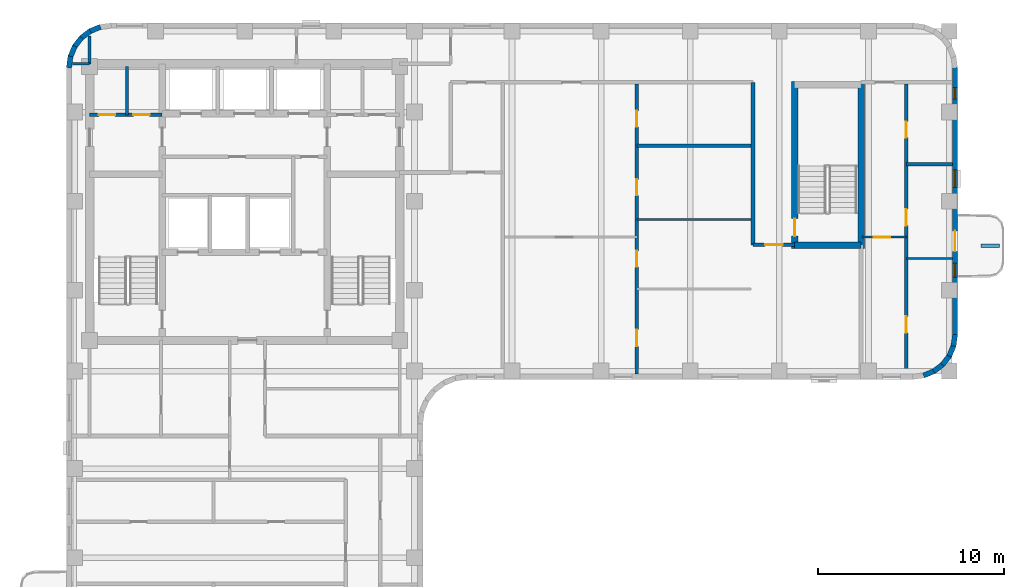
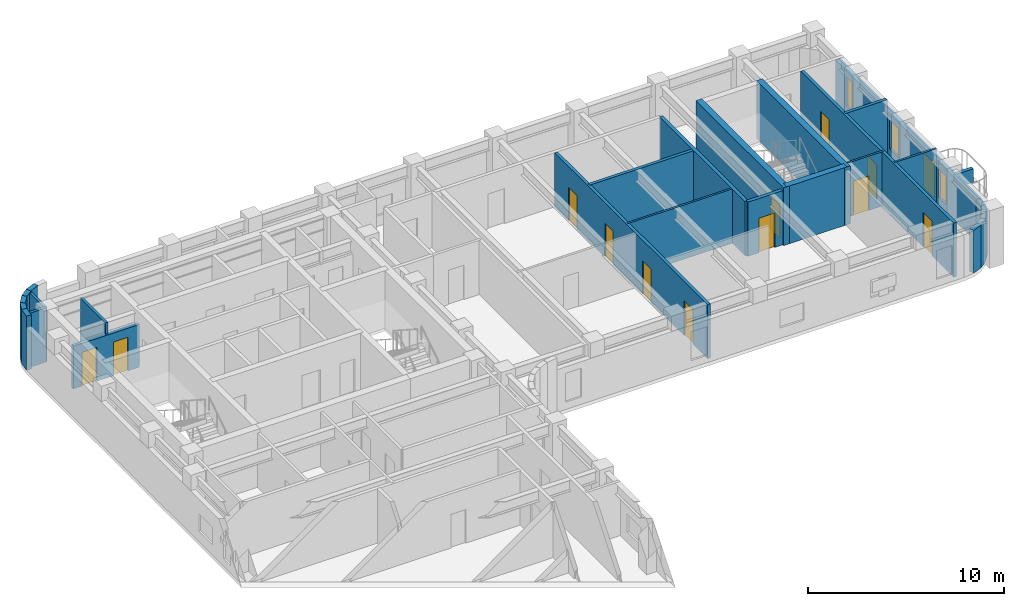
# One storey, part 5 of 10: 28 walls, 13 doors, 3 windows, 16 openings.
"""IFC4 building model written with IfcOpenShell, lengths in metres."""

from ifc_helpers import new_model, si_unit, direction, frame, frame_2d, origin, place, context, subcontext, project, spatial, rectangle, extrude, material, layer, layer_set, type_object, element, fill, save


model = new_model("IFC4")

# Units and contexts
model_context = context("Model", 3, precision=1e-05, world=origin(), true_north=direction((0.0, 1.0)))
body_context = subcontext(model_context, "Body", "Model", "MODEL_VIEW")
ifc_project = project(units=[si_unit("LENGTHUNIT", "METRE"), si_unit("AREAUNIT", "SQUARE_METRE"), si_unit("VOLUMEUNIT", "CUBIC_METRE"), si_unit("PLANEANGLEUNIT", "RADIAN"), si_unit("MASSUNIT", "GRAM", prefix="KILO")], contexts=[model_context])

# Site, building, storey
site_placement = place(None, origin())
site = spatial("IfcSite", under=ifc_project, at=site_placement, CompositionType="ELEMENT")
building_placement = place(site_placement, origin())
building = spatial("IfcBuilding", under=site, at=building_placement, Name="Orvandelia Arch Residences", CompositionType="ELEMENT")
storey_placement = place(building_placement, frame((0.0, 0.0, 232.60009765625)))
storey = spatial("IfcBuildingStorey", under=building, at=storey_placement, Name="L61", CompositionType="ELEMENT", Elevation=232.60009765625)

# Wall, opening, door
ifc_material_1 = material(Name="Concrete C50/60", Category="concrete")
ifc_layer_1 = layer(ifc_material_1, 0.35009765625, Name="Concrete C50/60", Category="concrete")
ifc_layer_set_1 = layer_set([ifc_layer_1], Name="Concrete C50/60")
wall_type_1 = type_object("IfcWallType", Name="WL-CORE-350", PredefinedType="SHEAR", material=ifc_layer_set_1)
wall_1_placement = place(storey_placement, frame((44.02001953125, 35.864990234375, 0.0), z_axis=(0.0, 0.0, 1.0), x_axis=(0.0, 1.0, 0.0)))
wall_1 = element("IfcWall", 1, at=wall_1_placement, inside=storey, type_object=wall_type_1, Name="East Stair Core Shear Wall L61-W", PredefinedType="SHEAR", context=body_context, shape_type="SweptSolid", body=[
    extrude(rectangle(XDim=8.969970703125, YDim=0.35009765625, at=frame_2d((4.48486328125, 0.0))), origin(), (0.0, 0.0, 1.0), 3.599853515625),
])
opening_1_placement = place(wall_1_placement, frame((0.64990234375, 0.0, 0.0)))
opening_1 = element("IfcOpeningElement", 2, at=opening_1_placement, cuts=wall_1, Name="Opening D7", PredefinedType="OPENING", context=body_context, shape_type="SweptSolid", body=[
    extrude(rectangle(XDim=0.949951171875, YDim=2.10009765625, at=frame_2d((0.47509765625, 1.050048828125))), frame((0.0, 0.18505859375, 0.0), z_axis=(0.0, -1.0, 0.0), x_axis=(1.0, 0.0, 0.0)), (0.0, 0.0, 1.0), 0.3701171875),
])
ifc_material_2 = material(Name="Pressurised Stairwell Fire Door")
door_type_1 = type_object("IfcDoorType", Name="DR-STAIR-950", OperationType="NOTDEFINED", PredefinedType="DOOR", material=ifc_material_2)
door_1_placement = place(opening_1_placement, origin())
door_1 = element("IfcDoor", 3, at=door_1_placement, inside=storey, type_object=door_type_1, Name="East Stairwell ST-3 Fire Door L61", OperationType="SINGLE_SWING_LEFT", OverallHeight=2.10009765625, OverallWidth=0.949951171875, PredefinedType="DOOR", context=body_context, shape_type="SweptSolid", body=[
    extrude(rectangle(XDim=0.949951171875, YDim=2.10009765625, at=frame_2d((0.47509765625, 1.050048828125))), frame((0.0, 0.02490234375, 0.0), z_axis=(0.0, -1.0, 0.0), x_axis=(1.0, 0.0, 0.0)), (0.0, 0.0, 1.0), 0.050048828125),
])
fill(opening_1, door_1)

# Walls
wall_2_placement = place(storey_placement, frame((47.60009765625, 35.864990234375, 0.0), z_axis=(0.0, 0.0, 1.0), x_axis=(0.0, 1.0, 0.0)))
element("IfcWall", 4, at=wall_2_placement, inside=storey, type_object=wall_type_1, Name="East Stair Core Shear Wall L61-E", PredefinedType="SHEAR", context=body_context, shape_type="SweptSolid", body=[
    extrude(rectangle(XDim=8.969970703125, YDim=0.35009765625, at=frame_2d((4.48486328125, 0.0))), origin(), (0.0, 0.0, 1.0), 3.599853515625),
])
wall_3_placement = place(storey_placement, frame((44.02001953125, 36.0400390625, 0.0), z_axis=(0.0, 0.0, 1.0), x_axis=(1.0, 0.0, 0.0)))
element("IfcWall", 5, at=wall_3_placement, inside=storey, type_object=wall_type_1, Name="East Stair Core Shear Wall L61-S", PredefinedType="SHEAR", context=body_context, shape_type="SweptSolid", body=[
    extrude(rectangle(XDim=3.580078125, YDim=0.35009765625, at=frame_2d((1.7900390625, 0.0))), origin(), (0.0, 0.0, 1.0), 3.599853515625),
])
ifc_material_3 = material(Name="Fire-Rated Corridor Partition")
ifc_layer_2 = layer(ifc_material_3, 0.199951171875, Name="Fire-Rated Corridor Partition")
ifc_layer_set_2 = layer_set([ifc_layer_2], Name="Fire-Rated Corridor Partition")
wall_type_2 = type_object("IfcWallType", Name="WL-CORR-200", PredefinedType="PARTITIONING", material=ifc_layer_set_2)
wall_4_placement = place(storey_placement, frame((41.780029296875, 36.050048828125, 0.0), z_axis=(0.0, 0.0, 1.0), x_axis=(0.0, 1.0, 0.0)))
element("IfcWall", 6, at=wall_4_placement, inside=storey, type_object=wall_type_2, Name="Interior Partition Wall WL-L61-EN2-SW", PredefinedType="PARTITIONING", context=body_context, shape_type="SweptSolid", body=[
    extrude(rectangle(XDim=8.75, YDim=0.199951171875, at=frame_2d((4.375, 0.0))), origin(), (0.0, 0.0, 1.0), 3.3798828125),
])

# Wall, opening, door
wall_5_placement = place(storey_placement, frame((41.780029296875, 36.050048828125, 0.0), z_axis=(0.0, 0.0, 1.0), x_axis=(1.0, 0.0, 0.0)))
wall_5 = element("IfcWall", 7, at=wall_5_placement, inside=storey, type_object=wall_type_2, Name="Interior Partition Wall WL-L61-EN2-SS", PredefinedType="PARTITIONING", context=body_context, shape_type="SweptSolid", body=[
    extrude(rectangle(XDim=2.239990234375, YDim=0.199951171875, at=frame_2d((1.1201171875, 0.0))), origin(), (0.0, 0.0, 1.0), 3.3798828125),
])
opening_2_placement = place(wall_5_placement, frame((0.64990234375, 0.0, 0.0)))
opening_2 = element("IfcOpeningElement", 8, at=opening_2_placement, cuts=wall_5, Name="Opening D2", PredefinedType="OPENING", context=body_context, shape_type="SweptSolid", body=[
    extrude(rectangle(XDim=0.949951171875, YDim=2.14990234375, at=frame_2d((0.47509765625, 1.074951171875))), frame((0.0, 0.10986328125, 0.0), z_axis=(0.0, -1.0, 0.0), x_axis=(1.0, 0.0, 0.0)), (0.0, 0.0, 1.0), 0.219970703125),
])
ifc_material_4 = material(Name="Solid-Core Timber Interior Fire Door", Category="wood")
door_type_2 = type_object("IfcDoorType", Name="DR-APT-950", OperationType="NOTDEFINED", PredefinedType="DOOR", material=ifc_material_4)
door_2_placement = place(opening_2_placement, origin())
door_2 = element("IfcDoor", 9, at=door_2_placement, inside=storey, type_object=door_type_2, Name="DR-L61-EN2SLN", OperationType="SINGLE_SWING_LEFT", OverallHeight=2.14990234375, OverallWidth=0.949951171875, PredefinedType="DOOR", context=body_context, shape_type="SweptSolid", body=[
    extrude(rectangle(XDim=0.949951171875, YDim=2.14990234375, at=frame_2d((0.47509765625, 1.074951171875))), frame((0.0, 0.02490234375, 0.0), z_axis=(0.0, -1.0, 0.0), x_axis=(1.0, 0.0, 0.0)), (0.0, 0.0, 1.0), 0.050048828125),
])
fill(opening_2, door_2)

# Walls
ifc_material_5 = material(Name="Precast concrete C40/50", Category="concrete")
ifc_layer_3 = layer(ifc_material_5, 0.280029296875, Name="Precast concrete C40/50", Category="concrete")
ifc_layer_set_3 = layer_set([ifc_layer_3], Name="Precast concrete C40/50")
wall_type_3 = type_object("IfcWallType", Name="WL-EXT-STONE-280", PredefinedType="STANDARD", material=ifc_layer_set_3)
for number, where, z_axis, x_axis, name in (
    (10, (4.938720703125, 45.581787109375, 0.0), (0.0, 0.0, 1.0), (0.130555323746, 0.9914410257, 0.0), "Coral-Limestone Precast Facade Wall L61-001"),
    (11, (5.010986328125, 46.16748046875, 0.0), (0.0, 0.0, 1.0), (0.382650053678, 0.92389335771, 0.0), "Coral-Limestone Precast Facade Wall L61-002"),
    (12, (5.232666015625, 46.71484375, 0.0), (0.0, 0.0, 1.0), (0.608693302629, 0.793405610854, 0.0), "Coral-Limestone Precast Facade Wall L61-003"),
    (13, (5.588134765625, 47.18603515625, 0.0), (0.0, 0.0, 1.0), (0.793405610854, 0.608693302629, 0.0), "Coral-Limestone Precast Facade Wall L61-004"),
):
    element("IfcWall", number, at=place(storey_placement, frame(where, z_axis=z_axis, x_axis=x_axis)), inside=storey, type_object=wall_type_3, Name=name, PredefinedType="STANDARD", context=body_context, shape_type="SweptSolid", body=[
        extrude(rectangle(XDim=0.62646484375, YDim=0.280029296875, at=frame_2d((0.313232421875, 0.0))), origin(), (0.0, 0.0, 1.0), 3.3798828125),
    ])
wall_6_placement = place(storey_placement, frame((6.0537109375, 47.54931640625, 0.0), z_axis=(0.0, 0.0, 1.0), x_axis=(0.923974080304, 0.382455093999, 0.0)))
element("IfcWall", 14, at=wall_6_placement, inside=storey, type_object=wall_type_3, Name="Coral-Limestone Precast Facade Wall L61-005", PredefinedType="STANDARD", context=body_context, shape_type="SweptSolid", body=[
    extrude(rectangle(XDim=0.626220703125, YDim=0.280029296875, at=frame_2d((0.31298828125, 0.0))), origin(), (0.0, 0.0, 1.0), 3.3798828125),
])

# Wall, openings, door, windows
wall_7_placement = place(storey_placement, frame((52.659912109375, 45.60009765625, 0.0), z_axis=(0.0, 0.0, 1.0), x_axis=(0.0, -1.0, 0.0)))
wall_7 = element("IfcWall", 15, at=wall_7_placement, inside=storey, type_object=wall_type_3, Name="Coral-Limestone Precast Facade Wall L61-014", PredefinedType="STANDARD", context=body_context, shape_type="SweptSolid", body=[
    extrude(rectangle(XDim=14.400146484375, YDim=0.280029296875, at=frame_2d((7.2001953125, 0.0))), origin(), (0.0, 0.0, 1.0), 2.659912109375),
])
opening_3_placement = place(wall_7_placement, frame((8.800048828125, 0.0, 0.0)))
opening_3 = element("IfcOpeningElement", 16, at=opening_3_placement, cuts=wall_7, Name="Opening BD1", PredefinedType="OPENING", context=body_context, shape_type="SweptSolid", body=[
    extrude(rectangle(XDim=1.10009765625, YDim=2.14990234375, at=frame_2d((0.550048828125, 1.074951171875))), frame((0.0, 0.14990234375, 0.0), z_axis=(0.0, -1.0, 0.0), x_axis=(1.0, 0.0, 0.0)), (0.0, 0.0, 1.0), 0.300048828125),
])
opening_4_placement = place(wall_7_placement, frame((10.54443359375, 0.0, 0.449951171875)))
opening_4 = element("IfcOpeningElement", 17, at=opening_4_placement, cuts=wall_7, Name="Opening W11", PredefinedType="OPENING", context=body_context, shape_type="SweptSolid", body=[
    extrude(rectangle(XDim=0.75, YDim=1.800048828125, at=frame_2d((0.375, 0.89990234375))), frame((0.0, 0.14990234375, 0.0), z_axis=(0.0, -1.0, 0.0), x_axis=(1.0, 0.0, 0.0)), (0.0, 0.0, 1.0), 0.300048828125),
])
opening_5_placement = place(wall_7_placement, frame((1.08740234375, 0.0, 0.449951171875)))
opening_5 = element("IfcOpeningElement", 18, at=opening_5_placement, cuts=wall_7, Name="Opening W12", PredefinedType="OPENING", context=body_context, shape_type="SweptSolid", body=[
    extrude(rectangle(XDim=0.60009765625, YDim=1.800048828125, at=frame_2d((0.300048828125, 0.89990234375))), frame((0.0, 0.14990234375, 0.0), z_axis=(0.0, -1.0, 0.0), x_axis=(1.0, 0.0, 0.0)), (0.0, 0.0, 1.0), 0.300048828125),
])
opening_6_placement = place(wall_7_placement, frame((5.510986328125, 0.0, 0.449951171875)))
opening_6 = element("IfcOpeningElement", 19, at=opening_6_placement, cuts=wall_7, Name="Opening W4", PredefinedType="OPENING", context=body_context, shape_type="SweptSolid", body=[
    extrude(rectangle(XDim=0.949951171875, YDim=1.800048828125, at=frame_2d((0.47509765625, 0.89990234375))), frame((0.0, 0.14990234375, 0.0), z_axis=(0.0, -1.0, 0.0), x_axis=(1.0, 0.0, 0.0)), (0.0, 0.0, 1.0), 0.300048828125),
])
ifc_material_6 = material(Name="Thermally Broken Aluminium Glazed Door", Category="aluminium")
door_type_3 = type_object("IfcDoorType", Name="DR-BAL-GLAZ-1100", OperationType="NOTDEFINED", PredefinedType="DOOR", material=ifc_material_6)
door_3_placement = place(opening_3_placement, origin())
door_3 = element("IfcDoor", 20, at=door_3_placement, inside=storey, type_object=door_type_3, Name="Tree Balcony Glazed Door BAL-L61-E1", OperationType="SINGLE_SWING_LEFT", OverallHeight=2.14990234375, OverallWidth=1.10009765625, PredefinedType="DOOR", context=body_context, shape_type="SweptSolid", body=[
    extrude(rectangle(XDim=1.10009765625, YDim=2.14990234375, at=frame_2d((0.550048828125, 1.074951171875))), frame((0.0, 0.02490234375, 0.0), z_axis=(0.0, -1.0, 0.0), x_axis=(1.0, 0.0, 0.0)), (0.0, 0.0, 1.0), 0.050048828125),
])
fill(opening_3, door_3)
ifc_material_7 = material(Name="Tempered Low-E Insulated Glazing", Category="glass")
window_type_1 = type_object("IfcWindowType", Name="WIN-BED-0750x1800", PartitioningType="SINGLE_PANEL", PredefinedType="WINDOW", material=ifc_material_7)
window_1_placement = place(opening_4_placement, origin())
window_1 = element("IfcWindow", 21, at=window_1_placement, inside=storey, type_object=window_type_1, Name="Recessed Punched Window L61-004", OverallHeight=1.800048828125, OverallWidth=0.75, PartitioningType="SINGLE_PANEL", PredefinedType="WINDOW", context=body_context, shape_type="SweptSolid", body=[
    extrude(rectangle(XDim=0.75, YDim=1.800048828125, at=frame_2d((0.375, 0.89990234375))), frame((0.0, 0.030029296875, 0.0), z_axis=(0.0, -1.0, 0.0), x_axis=(1.0, 0.0, 0.0)), (0.0, 0.0, 1.0), 0.06005859375),
])
fill(opening_4, window_1)
window_type_2 = type_object("IfcWindowType", Name="WIN-LAN-0600x1800", PartitioningType="SINGLE_PANEL", PredefinedType="WINDOW", material=ifc_material_7)
window_2_placement = place(opening_5_placement, origin())
window_2 = element("IfcWindow", 22, at=window_2_placement, inside=storey, type_object=window_type_2, Name="Recessed Punched Window L61-005", OverallHeight=1.800048828125, OverallWidth=0.60009765625, PartitioningType="SINGLE_PANEL", PredefinedType="WINDOW", context=body_context, shape_type="SweptSolid", body=[
    extrude(rectangle(XDim=0.60009765625, YDim=1.800048828125, at=frame_2d((0.300048828125, 0.89990234375))), frame((0.0, 0.030029296875, 0.0), z_axis=(0.0, -1.0, 0.0), x_axis=(1.0, 0.0, 0.0)), (0.0, 0.0, 1.0), 0.06005859375),
])
fill(opening_5, window_2)
window_type_3 = type_object("IfcWindowType", Name="WIN-RES-0950x1800", PartitioningType="SINGLE_PANEL", PredefinedType="WINDOW", material=ifc_material_7)
window_3_placement = place(opening_6_placement, origin())
window_3 = element("IfcWindow", 23, at=window_3_placement, inside=storey, type_object=window_type_3, Name="Recessed Punched Window L61-006", OverallHeight=1.800048828125, OverallWidth=0.949951171875, PartitioningType="SINGLE_PANEL", PredefinedType="WINDOW", context=body_context, shape_type="SweptSolid", body=[
    extrude(rectangle(XDim=0.949951171875, YDim=1.800048828125, at=frame_2d((0.47509765625, 0.89990234375))), frame((0.0, 0.030029296875, 0.0), z_axis=(0.0, -1.0, 0.0), x_axis=(1.0, 0.0, 0.0)), (0.0, 0.0, 1.0), 0.06005859375),
])
fill(opening_6, window_3)

# Walls
wall_8_placement = place(storey_placement, frame((52.6611328125, 31.21826171875, 0.0), z_axis=(0.0, 0.0, 1.0), x_axis=(-0.130555323746, -0.9914410257, 0.0)))
element("IfcWall", 24, at=wall_8_placement, inside=storey, type_object=wall_type_3, Name="Coral-Limestone Precast Facade Wall L61-015", PredefinedType="STANDARD", context=body_context, shape_type="SweptSolid", body=[
    extrude(rectangle(XDim=0.62646484375, YDim=0.280029296875, at=frame_2d((0.313232421875, 0.0))), origin(), (0.0, 0.0, 1.0), 2.659912109375),
])
wall_9_placement = place(storey_placement, frame((52.5888671875, 30.63232421875, 0.0), z_axis=(0.0, 0.0, 1.0), x_axis=(-0.382787856107, -0.923836271867, 0.0)))
element("IfcWall", 25, at=wall_9_placement, inside=storey, type_object=wall_type_3, Name="Coral-Limestone Precast Facade Wall L61-016", PredefinedType="STANDARD", context=body_context, shape_type="SweptSolid", body=[
    extrude(rectangle(XDim=0.626220703125, YDim=0.280029296875, at=frame_2d((0.31298828125, 0.0))), origin(), (0.0, 0.0, 1.0), 2.659912109375),
])
for number, where, z_axis, x_axis, name in (
    (26, (52.367431640625, 30.085205078125, 0.0), (0.0, 0.0, 1.0), (-0.608693302629, -0.793405610854, 0.0), "Coral-Limestone Precast Facade Wall L61-017"),
    (27, (52.011962890625, 29.614013671875, 0.0), (0.0, 0.0, 1.0), (-0.793405610854, -0.608693302629, 0.0), "Coral-Limestone Precast Facade Wall L61-018"),
    (28, (51.54638671875, 29.250732421875, 0.0), (0.0, 0.0, 1.0), (-0.92389335771, -0.382650053678, 0.0), "Coral-Limestone Precast Facade Wall L61-019"),
):
    element("IfcWall", number, at=place(storey_placement, frame(where, z_axis=z_axis, x_axis=x_axis)), inside=storey, type_object=wall_type_3, Name=name, PredefinedType="STANDARD", context=body_context, shape_type="SweptSolid", body=[
        extrude(rectangle(XDim=0.62646484375, YDim=0.280029296875, at=frame_2d((0.313232421875, 0.0))), origin(), (0.0, 0.0, 1.0), 2.659912109375),
    ])
ifc_material_8 = material(Name="Lightweight Gypsum Stud Partition")
ifc_layer_4 = layer(ifc_material_8, 0.1201171875, Name="Lightweight Gypsum Stud Partition")
ifc_layer_set_4 = layer_set([ifc_layer_4], Name="Lightweight Gypsum Stud Partition")
wall_type_4 = type_object("IfcWallType", Name="WL-PART-120", PredefinedType="PARTITIONING", material=ifc_layer_set_4)
wall_10_placement = place(storey_placement, frame((35.528076171875, 37.4208984375, 0.0), z_axis=(0.0, 0.0, 1.0), x_axis=(1.0, 0.0, 0.0)))
element("IfcWall", 29, at=wall_10_placement, inside=storey, type_object=wall_type_4, Name="Interior Partition Wall WL-L61-U04-H1B", PredefinedType="PARTITIONING", context=body_context, shape_type="SweptSolid", body=[
    extrude(rectangle(XDim=6.15185546875, YDim=0.1201171875, at=frame_2d((3.075927734375, 0.0))), origin(), (0.0, 0.0, 1.0), 3.3798828125),
])

# Wall, opening, door
wall_11_placement = place(storey_placement, frame((47.639892578125, 36.468017578125, 0.0), z_axis=(0.0, 0.0, 1.0), x_axis=(1.0, 0.0, 0.0)))
wall_11 = element("IfcWall", 30, at=wall_11_placement, inside=storey, type_object=wall_type_4, Name="Interior Partition Wall WL-L61-U05-DIN", PredefinedType="PARTITIONING", context=body_context, shape_type="SweptSolid", body=[
    extrude(rectangle(XDim=2.403076171875, YDim=0.1201171875, at=frame_2d((1.20166015625, 0.0))), origin(), (0.0, 0.0, 1.0), 3.3798828125),
])
opening_7_placement = place(wall_11_placement, frame((0.640380859375, 0.0, 0.0)))
opening_7 = element("IfcOpeningElement", 31, at=opening_7_placement, cuts=wall_11, Name="Opening D3", PredefinedType="OPENING", context=body_context, shape_type="SweptSolid", body=[
    extrude(rectangle(XDim=0.89990234375, YDim=2.14990234375, at=frame_2d((0.449951171875, 1.074951171875))), frame((0.0, 0.070068359375, 0.0), z_axis=(0.0, -1.0, 0.0), x_axis=(1.0, 0.0, 0.0)), (0.0, 0.0, 1.0), 0.14013671875),
])
ifc_material_9 = material(Name="Engineered Timber Flush Door", Category="wood")
door_type_4 = type_object("IfcDoorType", Name="DR-INT-900", OperationType="NOTDEFINED", PredefinedType="DOOR", material=ifc_material_9)
door_4_placement = place(opening_7_placement, origin())
door_4 = element("IfcDoor", 32, at=door_4_placement, inside=storey, type_object=door_type_4, Name="DR-L61-U05-DIN", OperationType="SINGLE_SWING_RIGHT", OverallHeight=2.14990234375, OverallWidth=0.89990234375, PredefinedType="DOOR", context=body_context, shape_type="SweptSolid", body=[
    extrude(rectangle(XDim=0.89990234375, YDim=2.14990234375, at=frame_2d((0.449951171875, 1.074951171875))), frame((0.0, 0.02490234375, 0.0), z_axis=(0.0, -1.0, 0.0), x_axis=(1.0, 0.0, 0.0)), (0.0, 0.0, 1.0), 0.050048828125),
])
fill(opening_7, door_4)

# Walls
wall_12_placement = place(storey_placement, frame((50.04296875, 35.31591796875, 0.0), z_axis=(0.0, 0.0, 1.0), x_axis=(1.0, 0.0, 0.0)))
element("IfcWall", 33, at=wall_12_placement, inside=storey, type_object=wall_type_4, Name="Interior Partition Wall WL-L61-U05-H1", PredefinedType="PARTITIONING", context=body_context, shape_type="SweptSolid", body=[
    extrude(rectangle(XDim=2.47705078125, YDim=0.1201171875, at=frame_2d((1.238525390625, 0.0))), origin(), (0.0, 0.0, 1.0), 3.3798828125),
])
ifc_material_10 = material(Name="Acoustic Gypsum Stud Partition")
ifc_layer_5 = layer(ifc_material_10, 0.14990234375, Name="Acoustic Gypsum Stud Partition")
ifc_layer_set_5 = layer_set([ifc_layer_5], Name="Acoustic Gypsum Stud Partition")
wall_type_5 = type_object("IfcWallType", Name="WL-PART-150", PredefinedType="PARTITIONING", material=ifc_layer_set_5)
wall_13_placement = place(storey_placement, frame((8.06005859375, 43.050048828125, 0.0), z_axis=(0.0, 0.0, 1.0), x_axis=(0.0, 1.0, 0.0)))
element("IfcWall", 34, at=wall_13_placement, inside=storey, type_object=wall_type_5, Name="Interior Partition Wall WL-L61-CRELC-M", PredefinedType="PARTITIONING", context=body_context, shape_type="SweptSolid", body=[
    extrude(rectangle(XDim=2.599853515625, YDim=0.14990234375, at=frame_2d((1.2998046875, 0.0))), origin(), (0.0, 0.0, 1.0), 3.3798828125),
])
wall_14_placement = place(storey_placement, frame((5.1201171875, 45.800048828125, 0.0), z_axis=(0.0, 0.0, 1.0), x_axis=(1.0, 0.0, 0.0)))
element("IfcWall", 35, at=wall_14_placement, inside=storey, type_object=wall_type_5, Name="Interior Partition Wall WL-L61-WF-N", PredefinedType="PARTITIONING", context=body_context, shape_type="SweptSolid", body=[
    extrude(rectangle(XDim=0.929931640625, YDim=0.14990234375, at=frame_2d((0.46484375, 0.0))), origin(), (0.0, 0.0, 1.0), 3.3798828125),
])
wall_15_placement = place(storey_placement, frame((6.050048828125, 45.800048828125, 0.0), z_axis=(0.0, 0.0, 1.0), x_axis=(0.0, 1.0, 0.0)))
element("IfcWall", 36, at=wall_15_placement, inside=storey, type_object=wall_type_5, Name="Interior Partition Wall WL-L61-NC-W6", PredefinedType="PARTITIONING", context=body_context, shape_type="SweptSolid", body=[
    extrude(rectangle(XDim=1.5, YDim=0.14990234375, at=frame_2d((0.75, 0.0))), origin(), (0.0, 0.0, 1.0), 3.3798828125),
])
ifc_layer_6 = layer(ifc_material_5, 0.199951171875, Name="Precast concrete C40/50", Category="concrete")
ifc_layer_set_6 = layer_set([ifc_layer_6], Name="Precast concrete C40/50")
wall_type_6 = type_object("IfcWallType", Name="WL-PLANTER-200", PredefinedType="MOVABLE", material=ifc_layer_set_6)
wall_16_placement = place(storey_placement, frame((54.050048828125, 36.0, 0.0), z_axis=(0.0, 0.0, 1.0), x_axis=(1.0, 0.0, 0.0)))
element("IfcWall", 37, at=wall_16_placement, inside=storey, type_object=wall_type_6, Name="Balcony Precast Tree Planter BAL-L61-E1", PredefinedType="MOVABLE", context=body_context, shape_type="SweptSolid", body=[
    extrude(rectangle(XDim=1.0, YDim=0.199951171875, at=frame_2d((0.5, 0.0))), origin(), (0.0, 0.0, 1.0), 0.849853515625),
])

# Wall, openings, doors
ifc_material_11 = material(Name="Fire-Rated Shaft Enclosure Wall")
ifc_layer_7 = layer(ifc_material_11, 0.199951171875, Name="Fire-Rated Shaft Enclosure Wall")
ifc_layer_set_7 = layer_set([ifc_layer_7], Name="Fire-Rated Shaft Enclosure Wall")
wall_type_7 = type_object("IfcWallType", Name="WL-SHAFT-200", PredefinedType="POLYGONAL", material=ifc_layer_set_7)
wall_17_placement = place(storey_placement, frame((6.050048828125, 43.050048828125, 0.0), z_axis=(0.0, 0.0, 1.0), x_axis=(1.0, 0.0, 0.0)))
wall_17 = element("IfcWall", 38, at=wall_17_placement, inside=storey, type_object=wall_type_7, Name="Interior Partition Wall WL-L61-HLW-N", PredefinedType="POLYGONAL", context=body_context, shape_type="SweptSolid", body=[
    extrude(rectangle(XDim=3.909912109375, YDim=0.199951171875, at=frame_2d((1.955078125, 0.0))), origin(), (0.0, 0.0, 1.0), 2.659912109375),
])
opening_8_placement = place(wall_17_placement, frame((0.5, 0.0, 0.0)))
opening_8 = element("IfcOpeningElement", 39, at=opening_8_placement, cuts=wall_17, Name="Opening D5", PredefinedType="OPENING", context=body_context, shape_type="SweptSolid", body=[
    extrude(rectangle(XDim=0.8798828125, YDim=2.10009765625, at=frame_2d((0.43994140625, 1.050048828125))), frame((0.0, 0.10986328125, 0.0), z_axis=(0.0, -1.0, 0.0), x_axis=(1.0, 0.0, 0.0)), (0.0, 0.0, 1.0), 0.219970703125),
])
opening_9_placement = place(wall_17_placement, frame((2.35009765625, 0.0, 0.0)))
opening_9 = element("IfcOpeningElement", 40, at=opening_9_placement, cuts=wall_17, Name="Opening D5", PredefinedType="OPENING", context=body_context, shape_type="SweptSolid", body=[
    extrude(rectangle(XDim=0.8798828125, YDim=2.10009765625, at=frame_2d((0.43994140625, 1.050048828125))), frame((0.0, 0.10986328125, 0.0), z_axis=(0.0, -1.0, 0.0), x_axis=(1.0, 0.0, 0.0)), (0.0, 0.0, 1.0), 0.219970703125),
])
ifc_material_12 = material(Name="Painted Galvanised Steel Service Door", Category="steel")
door_type_5 = type_object("IfcDoorType", Name="DR-SRV-880", OperationType="NOTDEFINED", PredefinedType="DOOR", material=ifc_material_12)
door_5_placement = place(opening_8_placement, origin())
door_5 = element("IfcDoor", 41, at=door_5_placement, inside=storey, type_object=door_type_5, Name="DR-L61-CRELC1", OperationType="SINGLE_SWING_LEFT", OverallHeight=2.10009765625, OverallWidth=0.8798828125, PredefinedType="DOOR", context=body_context, shape_type="SweptSolid", body=[
    extrude(rectangle(XDim=0.8798828125, YDim=2.10009765625, at=frame_2d((0.43994140625, 1.050048828125))), frame((0.0, 0.02490234375, 0.0), z_axis=(0.0, -1.0, 0.0), x_axis=(1.0, 0.0, 0.0)), (0.0, 0.0, 1.0), 0.050048828125),
])
fill(opening_8, door_5)
door_6_placement = place(opening_9_placement, origin())
door_6 = element("IfcDoor", 42, at=door_6_placement, inside=storey, type_object=door_type_5, Name="DR-L61-CRELC2", OperationType="SINGLE_SWING_RIGHT", OverallHeight=2.10009765625, OverallWidth=0.8798828125, PredefinedType="DOOR", context=body_context, shape_type="SweptSolid", body=[
    extrude(rectangle(XDim=0.8798828125, YDim=2.10009765625, at=frame_2d((0.43994140625, 1.050048828125))), frame((0.0, 0.02490234375, 0.0), z_axis=(0.0, -1.0, 0.0), x_axis=(1.0, 0.0, 0.0)), (0.0, 0.0, 1.0), 0.050048828125),
])
fill(opening_9, door_6)

ifc_material_13 = material(Name="Moisture-Resistant Plumbing Wall")
ifc_layer_8 = layer(ifc_material_13, 0.179931640625, Name="Moisture-Resistant Plumbing Wall")
ifc_layer_set_8 = layer_set([ifc_layer_8], Name="Moisture-Resistant Plumbing Wall")
wall_type_8 = type_object("IfcWallType", Name="WL-WET-180", PredefinedType="PLUMBINGWALL", material=ifc_layer_set_8)
wall_18_placement = place(storey_placement, frame((35.528076171875, 29.080078125, 0.0), z_axis=(0.0, 0.0, 1.0), x_axis=(0.0, 1.0, 0.0)))
wall_18 = element("IfcWall", 43, at=wall_18_placement, inside=storey, type_object=wall_type_8, Name="Interior Partition Wall WL-L61-U04-VT", PredefinedType="PLUMBINGWALL", context=body_context, shape_type="SweptSolid", body=[
    extrude(rectangle(XDim=15.619873046875, YDim=0.179931640625, at=frame_2d((7.81005859375, 0.0))), origin(), (0.0, 0.0, 1.0), 3.3798828125),
])
opening_10_placement = place(wall_18_placement, frame((1.5048828125, 0.0, 0.0)))
opening_10 = element("IfcOpeningElement", 44, at=opening_10_placement, cuts=wall_18, Name="Opening D3", PredefinedType="OPENING", context=body_context, shape_type="SweptSolid", body=[
    extrude(rectangle(XDim=0.89990234375, YDim=2.14990234375, at=frame_2d((0.449951171875, 1.074951171875))), frame((0.0, 0.10009765625, 0.0), z_axis=(0.0, -1.0, 0.0), x_axis=(1.0, 0.0, 0.0)), (0.0, 0.0, 1.0), 0.199951171875),
])
opening_11_placement = place(wall_18_placement, frame((5.783447265625, 0.0, 0.0)))
opening_11 = element("IfcOpeningElement", 45, at=opening_11_placement, cuts=wall_18, Name="Opening D4", PredefinedType="OPENING", context=body_context, shape_type="SweptSolid", body=[
    extrude(rectangle(XDim=0.860107421875, YDim=2.10009765625, at=frame_2d((0.43017578125, 1.050048828125))), frame((0.0, 0.10009765625, 0.0), z_axis=(0.0, -1.0, 0.0), x_axis=(1.0, 0.0, 0.0)), (0.0, 0.0, 1.0), 0.199951171875),
])
opening_12_placement = place(wall_18_placement, frame((9.632568359375, 0.0, 0.0)))
opening_12 = element("IfcOpeningElement", 46, at=opening_12_placement, cuts=wall_18, Name="Opening D4", PredefinedType="OPENING", context=body_context, shape_type="SweptSolid", body=[
    extrude(rectangle(XDim=0.860107421875, YDim=2.10009765625, at=frame_2d((0.43017578125, 1.050048828125))), frame((0.0, 0.10009765625, 0.0), z_axis=(0.0, -1.0, 0.0), x_axis=(1.0, 0.0, 0.0)), (0.0, 0.0, 1.0), 0.199951171875),
])
opening_13_placement = place(wall_18_placement, frame((13.327392578125, 0.0, 0.0)))
opening_13 = element("IfcOpeningElement", 47, at=opening_13_placement, cuts=wall_18, Name="Opening D4", PredefinedType="OPENING", context=body_context, shape_type="SweptSolid", body=[
    extrude(rectangle(XDim=0.860107421875, YDim=2.10009765625, at=frame_2d((0.43017578125, 1.050048828125))), frame((0.0, 0.10009765625, 0.0), z_axis=(0.0, -1.0, 0.0), x_axis=(1.0, 0.0, 0.0)), (0.0, 0.0, 1.0), 0.199951171875),
])
door_7_placement = place(opening_10_placement, origin())
door_7 = element("IfcDoor", 48, at=door_7_placement, inside=storey, type_object=door_type_4, Name="DR-L61-U04-BD1", OperationType="SINGLE_SWING_RIGHT", OverallHeight=2.14990234375, OverallWidth=0.89990234375, PredefinedType="DOOR", context=body_context, shape_type="SweptSolid", body=[
    extrude(rectangle(XDim=0.89990234375, YDim=2.14990234375, at=frame_2d((0.449951171875, 1.074951171875))), frame((0.0, 0.02490234375, 0.0), z_axis=(0.0, -1.0, 0.0), x_axis=(1.0, 0.0, 0.0)), (0.0, 0.0, 1.0), 0.050048828125),
])
fill(opening_10, door_7)
ifc_material_14 = material(Name="Moisture-Sealed Timber Bathroom Door", Category="wood")
door_type_6 = type_object("IfcDoorType", Name="DR-WET-900", OperationType="NOTDEFINED", PredefinedType="DOOR", material=ifc_material_14)
door_8_placement = place(opening_11_placement, origin())
door_8 = element("IfcDoor", 49, at=door_8_placement, inside=storey, type_object=door_type_6, Name="DR-L61-U04-STDY", OperationType="SINGLE_SWING_LEFT", OverallHeight=2.10009765625, OverallWidth=0.860107421875, PredefinedType="DOOR", context=body_context, shape_type="SweptSolid", body=[
    extrude(rectangle(XDim=0.860107421875, YDim=2.10009765625, at=frame_2d((0.43017578125, 1.050048828125))), frame((0.0, 0.02490234375, 0.0), z_axis=(0.0, -1.0, 0.0), x_axis=(1.0, 0.0, 0.0)), (0.0, 0.0, 1.0), 0.050048828125),
])
fill(opening_11, door_8)
door_9_placement = place(opening_12_placement, origin())
door_9 = element("IfcDoor", 50, at=door_9_placement, inside=storey, type_object=door_type_6, Name="DR-L61-U04-KIT", OperationType="SINGLE_SWING_RIGHT", OverallHeight=2.10009765625, OverallWidth=0.860107421875, PredefinedType="DOOR", context=body_context, shape_type="SweptSolid", body=[
    extrude(rectangle(XDim=0.860107421875, YDim=2.10009765625, at=frame_2d((0.43017578125, 1.050048828125))), frame((0.0, 0.02490234375, 0.0), z_axis=(0.0, -1.0, 0.0), x_axis=(1.0, 0.0, 0.0)), (0.0, 0.0, 1.0), 0.050048828125),
])
fill(opening_12, door_9)
door_10_placement = place(opening_13_placement, origin())
door_10 = element("IfcDoor", 51, at=door_10_placement, inside=storey, type_object=door_type_6, Name="DR-L61-U04-BTH", OperationType="SINGLE_SWING_LEFT", OverallHeight=2.10009765625, OverallWidth=0.860107421875, PredefinedType="DOOR", context=body_context, shape_type="SweptSolid", body=[
    extrude(rectangle(XDim=0.860107421875, YDim=2.10009765625, at=frame_2d((0.43017578125, 1.050048828125))), frame((0.0, 0.02490234375, 0.0), z_axis=(0.0, -1.0, 0.0), x_axis=(1.0, 0.0, 0.0)), (0.0, 0.0, 1.0), 0.050048828125),
])
fill(opening_13, door_10)

# Wall
wall_19_placement = place(storey_placement, frame((35.528076171875, 41.39111328125, 0.0), z_axis=(0.0, 0.0, 1.0), x_axis=(1.0, 0.0, 0.0)))
element("IfcWall", 52, at=wall_19_placement, inside=storey, type_object=wall_type_8, Name="Interior Partition Wall WL-L61-U04-H2", PredefinedType="PLUMBINGWALL", context=body_context, shape_type="SweptSolid", body=[
    extrude(rectangle(XDim=6.15185546875, YDim=0.179931640625, at=frame_2d((3.075927734375, 0.0))), origin(), (0.0, 0.0, 1.0), 3.3798828125),
])

# Wall, openings, doors
wall_20_placement = place(storey_placement, frame((50.04296875, 29.080078125, 0.0), z_axis=(0.0, 0.0, 1.0), x_axis=(0.0, 1.0, 0.0)))
wall_20 = element("IfcWall", 53, at=wall_20_placement, inside=storey, type_object=wall_type_8, Name="Interior Partition Wall WL-L61-U05-VT", PredefinedType="PLUMBINGWALL", context=body_context, shape_type="SweptSolid", body=[
    extrude(rectangle(XDim=15.619873046875, YDim=0.179931640625, at=frame_2d((7.81005859375, 0.0))), origin(), (0.0, 0.0, 1.0), 3.3798828125),
])
opening_14_placement = place(wall_20_placement, frame((2.22265625, 0.0, 0.0)))
opening_14 = element("IfcOpeningElement", 54, at=opening_14_placement, cuts=wall_20, Name="Opening D3", PredefinedType="OPENING", context=body_context, shape_type="SweptSolid", body=[
    extrude(rectangle(XDim=0.89990234375, YDim=2.14990234375, at=frame_2d((0.449951171875, 1.074951171875))), frame((0.0, 0.10009765625, 0.0), z_axis=(0.0, -1.0, 0.0), x_axis=(1.0, 0.0, 0.0)), (0.0, 0.0, 1.0), 0.199951171875),
])
opening_15_placement = place(wall_20_placement, frame((7.998779296875, 0.0, 0.0)))
opening_15 = element("IfcOpeningElement", 55, at=opening_15_placement, cuts=wall_20, Name="Opening D3", PredefinedType="OPENING", context=body_context, shape_type="SweptSolid", body=[
    extrude(rectangle(XDim=0.89990234375, YDim=2.14990234375, at=frame_2d((0.449951171875, 1.074951171875))), frame((0.0, 0.10009765625, 0.0), z_axis=(0.0, -1.0, 0.0), x_axis=(1.0, 0.0, 0.0)), (0.0, 0.0, 1.0), 0.199951171875),
])
opening_16_placement = place(wall_20_placement, frame((12.75048828125, 0.0, 0.0)))
opening_16 = element("IfcOpeningElement", 56, at=opening_16_placement, cuts=wall_20, Name="Opening D4", PredefinedType="OPENING", context=body_context, shape_type="SweptSolid", body=[
    extrude(rectangle(XDim=0.860107421875, YDim=2.10009765625, at=frame_2d((0.43017578125, 1.050048828125))), frame((0.0, 0.10009765625, 0.0), z_axis=(0.0, -1.0, 0.0), x_axis=(1.0, 0.0, 0.0)), (0.0, 0.0, 1.0), 0.199951171875),
])
door_11_placement = place(opening_14_placement, origin())
door_11 = element("IfcDoor", 57, at=door_11_placement, inside=storey, type_object=door_type_4, Name="DR-L61-U05-BD1", OperationType="SINGLE_SWING_LEFT", OverallHeight=2.14990234375, OverallWidth=0.89990234375, PredefinedType="DOOR", context=body_context, shape_type="SweptSolid", body=[
    extrude(rectangle(XDim=0.89990234375, YDim=2.14990234375, at=frame_2d((0.449951171875, 1.074951171875))), frame((0.0, 0.02490234375, 0.0), z_axis=(0.0, -1.0, 0.0), x_axis=(1.0, 0.0, 0.0)), (0.0, 0.0, 1.0), 0.050048828125),
])
fill(opening_14, door_11)
door_12_placement = place(opening_15_placement, origin())
door_12 = element("IfcDoor", 58, at=door_12_placement, inside=storey, type_object=door_type_4, Name="DR-L61-U05-KIT", OperationType="SINGLE_SWING_RIGHT", OverallHeight=2.14990234375, OverallWidth=0.89990234375, PredefinedType="DOOR", context=body_context, shape_type="SweptSolid", body=[
    extrude(rectangle(XDim=0.89990234375, YDim=2.14990234375, at=frame_2d((0.449951171875, 1.074951171875))), frame((0.0, 0.02490234375, 0.0), z_axis=(0.0, -1.0, 0.0), x_axis=(1.0, 0.0, 0.0)), (0.0, 0.0, 1.0), 0.050048828125),
])
fill(opening_15, door_12)
door_13_placement = place(opening_16_placement, origin())
door_13 = element("IfcDoor", 59, at=door_13_placement, inside=storey, type_object=door_type_6, Name="DR-L61-U05-BTH", OperationType="SINGLE_SWING_LEFT", OverallHeight=2.10009765625, OverallWidth=0.860107421875, PredefinedType="DOOR", context=body_context, shape_type="SweptSolid", body=[
    extrude(rectangle(XDim=0.860107421875, YDim=2.10009765625, at=frame_2d((0.43017578125, 1.050048828125))), frame((0.0, 0.02490234375, 0.0), z_axis=(0.0, -1.0, 0.0), x_axis=(1.0, 0.0, 0.0)), (0.0, 0.0, 1.0), 0.050048828125),
])
fill(opening_16, door_13)

# Wall
wall_21_placement = place(storey_placement, frame((50.04296875, 40.383056640625, 0.0), z_axis=(0.0, 0.0, 1.0), x_axis=(1.0, 0.0, 0.0)))
element("IfcWall", 60, at=wall_21_placement, inside=storey, type_object=wall_type_8, Name="Interior Partition Wall WL-L61-U05-H2", PredefinedType="PLUMBINGWALL", context=body_context, shape_type="SweptSolid", body=[
    extrude(rectangle(XDim=2.47705078125, YDim=0.179931640625, at=frame_2d((1.238525390625, 0.0))), origin(), (0.0, 0.0, 1.0), 3.3798828125),
])

save(model, "model.ifc")
